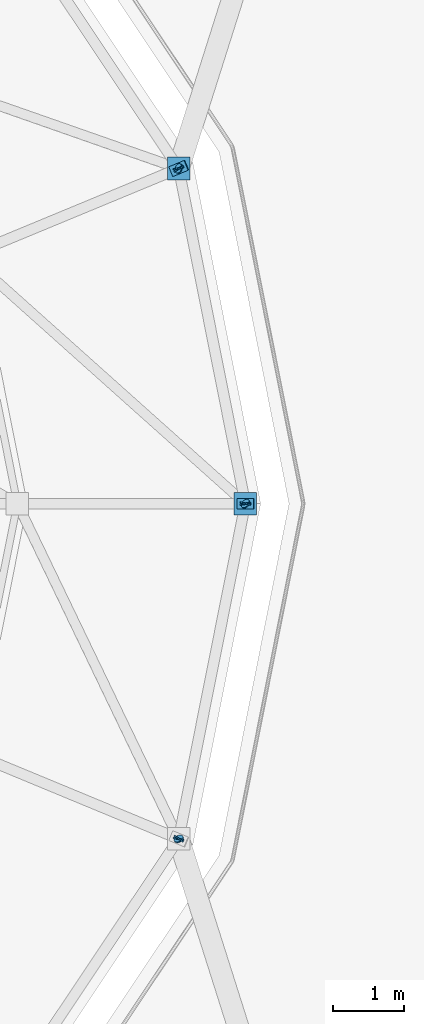
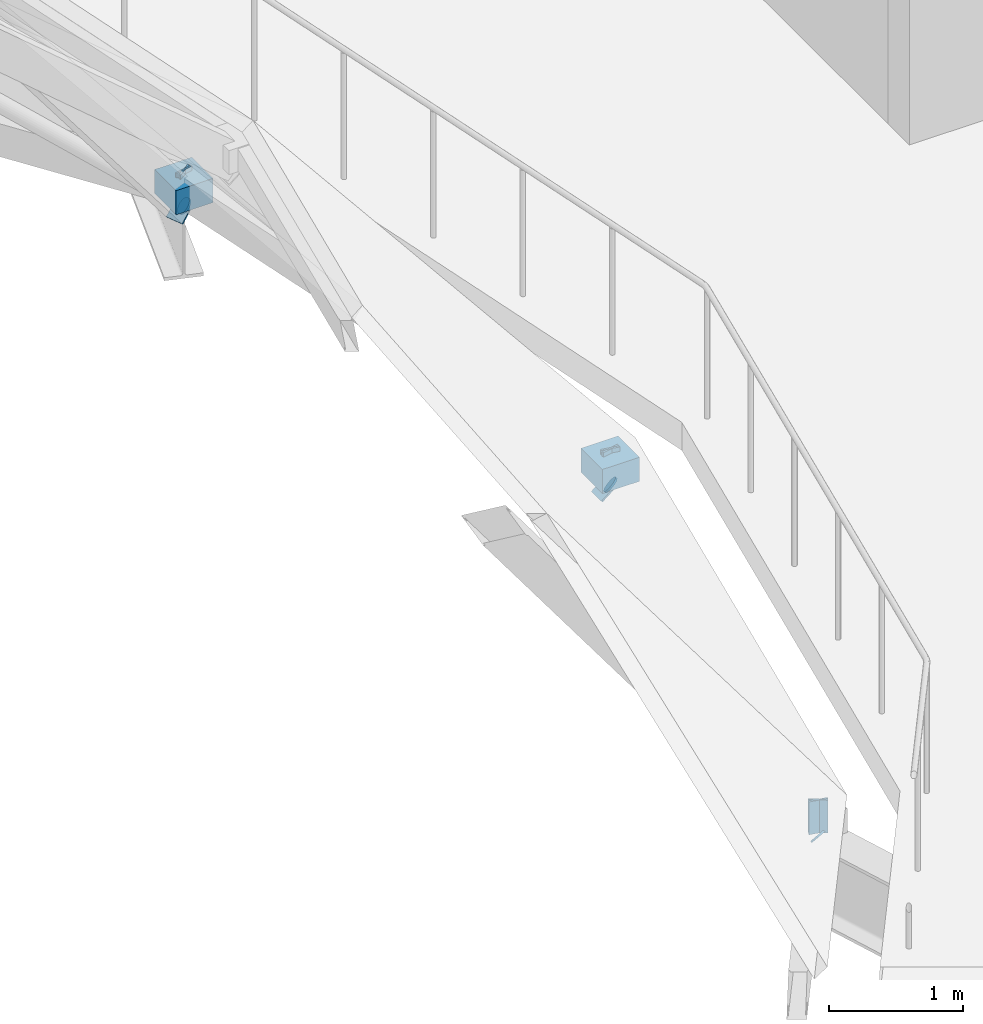
# One storey, part 30 of 40: 13 discrete accessories.
"""IFC4 building model written with IfcOpenShell, lengths in metres."""

from ifc_helpers import new_model, si_unit, direction, frame, origin, origin_2d, place, context, subcontext, project, spatial, rectangle, circle, extrude, material, type_object, element, save


model = new_model("IFC4")

# Units and contexts
model_context = context("Model", 3, precision=1e-05, world=origin(), true_north=direction((0.0, 1.0)))
body_context = subcontext(model_context, "Body", "Model", "MODEL_VIEW")
ifc_project = project(units=[si_unit("LENGTHUNIT", "METRE"), si_unit("AREAUNIT", "SQUARE_METRE"), si_unit("VOLUMEUNIT", "CUBIC_METRE"), si_unit("PLANEANGLEUNIT", "RADIAN"), si_unit("MASSUNIT", "GRAM", prefix="KILO"), si_unit("THERMODYNAMICTEMPERATUREUNIT", "KELVIN")], contexts=[model_context])

# Site, building, storey
site_placement = place(None, origin())
site = spatial("IfcSite", under=ifc_project, at=site_placement, CompositionType="ELEMENT")
building_placement = place(site_placement, origin())
building = spatial("IfcBuilding", under=site, at=building_placement, Name="Lustrewick Department Store", CompositionType="ELEMENT")
storey_placement = place(building_placement, frame((0.0, 0.0, 31.800048828125)))
storey = spatial("IfcBuildingStorey", under=building, at=storey_placement, Name="L07", CompositionType="ELEMENT", Elevation=31.800048828125)

# Discrete accessories
ifc_material = material(Name="Structural steel Q355C", Category="steel")
discrete_accessory_type_1 = type_object("IfcDiscreteAccessoryType", Name="GUS-NODE", PredefinedType="BRACKET", material=ifc_material)
for number, where, z_axis, x_axis, name in (
    (1, (41.782470703125, 67.199951171875, -0.28076171875), (0.0, 0.0, 1.0), (1.0, 0.0, 0.0), "V1 Dome Truss Ring 0 Node Gusset 01"),
    (2, (40.83984375, 71.938720703125, -0.28076171875), (0.0, 0.0, 1.0), (1.0, 0.0, 0.0), "V1 Dome Truss Ring 0 Node Gusset 02"),
):
    element("IfcDiscreteAccessory", number, at=place(storey_placement, frame(where, z_axis=z_axis, x_axis=x_axis)), inside=storey, type_object=discrete_accessory_type_1, Name=name, PredefinedType="BRACKET", context=body_context, shape_type="SweptSolid", body=[
        extrude(rectangle(XDim=0.320068359375, YDim=0.320068359375, at=origin_2d()), origin(), (0.0, 0.0, 1.0), 0.219970703125),
    ])
discrete_accessory_type_2 = type_object("IfcDiscreteAccessoryType", Name="ECP-01", PredefinedType="USERDEFINED", material=ifc_material)
for number, where, z_axis, x_axis, name in (
    (3, (41.77880859375, 67.199951171875, -0.322021484375), (0.627125427781, 0.0, -0.778918287005), (0.0, -1.0, 0.0), "L07 Welded Hollow-Section End-Cap Plate ECP-01"),
    (4, (40.83642578125, 62.45654296875, -0.170654296875), (0.55556285078, 0.83147454491, 0.0), (-0.83147454491, 0.55556285078, 0.0), "L07 Welded Hollow-Section End-Cap Plate ECP-01"),
    (5, (40.83642578125, 71.943603515625, -0.170654296875), (0.55556285078, -0.83147454491, 0.0), (-0.83147454491, -0.55556285078, 0.0), "L07 Welded Hollow-Section End-Cap Plate ECP-01"),
):
    element("IfcDiscreteAccessory", number, at=place(storey_placement, frame(where, z_axis=z_axis, x_axis=x_axis)), inside=storey, type_object=discrete_accessory_type_2, Name=name, ObjectType="END_CAP_PLATE", PredefinedType="USERDEFINED", context=body_context, shape_type="SweptSolid", body=[
        extrude(rectangle(XDim=0.14990234375, YDim=0.300048828125, at=origin_2d()), origin(), (0.0, 0.0, 1.0), 0.01611328125),
    ])
discrete_accessory_1_placement = place(storey_placement, frame((40.837890625, 62.465576171875, -0.347900390625), z_axis=(0.338866946884, -0.704258333021, -0.623850456985), x_axis=(-0.901111867275, -0.433586672599, 0.0)))
element("IfcDiscreteAccessory", 6, at=discrete_accessory_1_placement, inside=storey, type_object=discrete_accessory_type_2, Name="L07 Welded Hollow-Section End-Cap Plate ECP-01", ObjectType="END_CAP_PLATE", PredefinedType="USERDEFINED", context=body_context, shape_type="SweptSolid", body=[
    extrude(circle(Radius=0.070068359375, at=origin_2d()), origin(), (0.0, 0.0, 1.0), 0.01611328125),
])
discrete_accessory_2_placement = place(storey_placement, frame((40.83642578125, 71.937255859375, -0.322021484375), z_axis=(0.579377901493, 0.240017807162, -0.778917646165), x_axis=(0.382726472086, -0.923861703701, 0.0)))
element("IfcDiscreteAccessory", 7, at=discrete_accessory_2_placement, inside=storey, type_object=discrete_accessory_type_2, Name="L07 Welded Hollow-Section End-Cap Plate ECP-01", ObjectType="END_CAP_PLATE", PredefinedType="USERDEFINED", context=body_context, shape_type="SweptSolid", body=[
    extrude(rectangle(XDim=0.14990234375, YDim=0.300048828125, at=origin_2d()), origin(), (0.0, 0.0, 1.0), 0.01611328125),
])
for number, where, z_axis, x_axis, name in (
    (8, (40.83544921875, 71.940185546875, -0.347900390625), (0.737606427224, -0.258350932794, -0.623852189259), (-0.330565493422, -0.943783054816, 0.0), "L07 Welded Hollow-Section End-Cap Plate ECP-01"),
    (9, (41.779052734375, 67.203125, -0.347900390625), (0.582586158386, -0.520974841935, -0.623841792547), (-0.666591272375, -0.745423420341, 0.0), "L07 Welded Hollow-Section End-Cap Plate ECP-01"),
):
    element("IfcDiscreteAccessory", number, at=place(storey_placement, frame(where, z_axis=z_axis, x_axis=x_axis)), inside=storey, type_object=discrete_accessory_type_2, Name=name, ObjectType="END_CAP_PLATE", PredefinedType="USERDEFINED", context=body_context, shape_type="SweptSolid", body=[
        extrude(circle(Radius=0.070068359375, at=origin_2d()), origin(), (0.0, 0.0, 1.0), 0.01611328125),
    ])
for number, where, z_axis, x_axis, name in (
    (10, (41.78125, 67.194091796875, -0.170654296875), (0.195105384075, 0.980782284253, 0.0), (-0.980782284253, 0.195105384075, 0.0), "L07 Welded Hollow-Section End-Cap Plate ECP-01"),
    (11, (40.841064453125, 62.46728515625, -0.170654296875), (-0.195105384075, -0.980782284253, 0.0), (-0.980782284253, 0.195105384075, 0.0), "L07 Welded Hollow-Section End-Cap Plate ECP-01"),
    (12, (40.841064453125, 71.932861328125, -0.170654296875), (-0.195095714882, 0.98078420768, 0.0), (-0.98078420768, -0.195095714882, 0.0), "L07 Welded Hollow-Section End-Cap Plate ECP-01"),
    (13, (41.78125, 67.205810546875, -0.170654296875), (0.195095714882, -0.98078420768, 0.0), (-0.98078420768, -0.195095714882, 0.0), "L07 Welded Hollow-Section End-Cap Plate ECP-01"),
):
    element("IfcDiscreteAccessory", number, at=place(storey_placement, frame(where, z_axis=z_axis, x_axis=x_axis)), inside=storey, type_object=discrete_accessory_type_2, Name=name, ObjectType="END_CAP_PLATE", PredefinedType="USERDEFINED", context=body_context, shape_type="SweptSolid", body=[
        extrude(rectangle(XDim=0.14990234375, YDim=0.300048828125, at=origin_2d()), origin(), (0.0, 0.0, 1.0), 0.01611328125),
    ])

save(model, "model.ifc")
